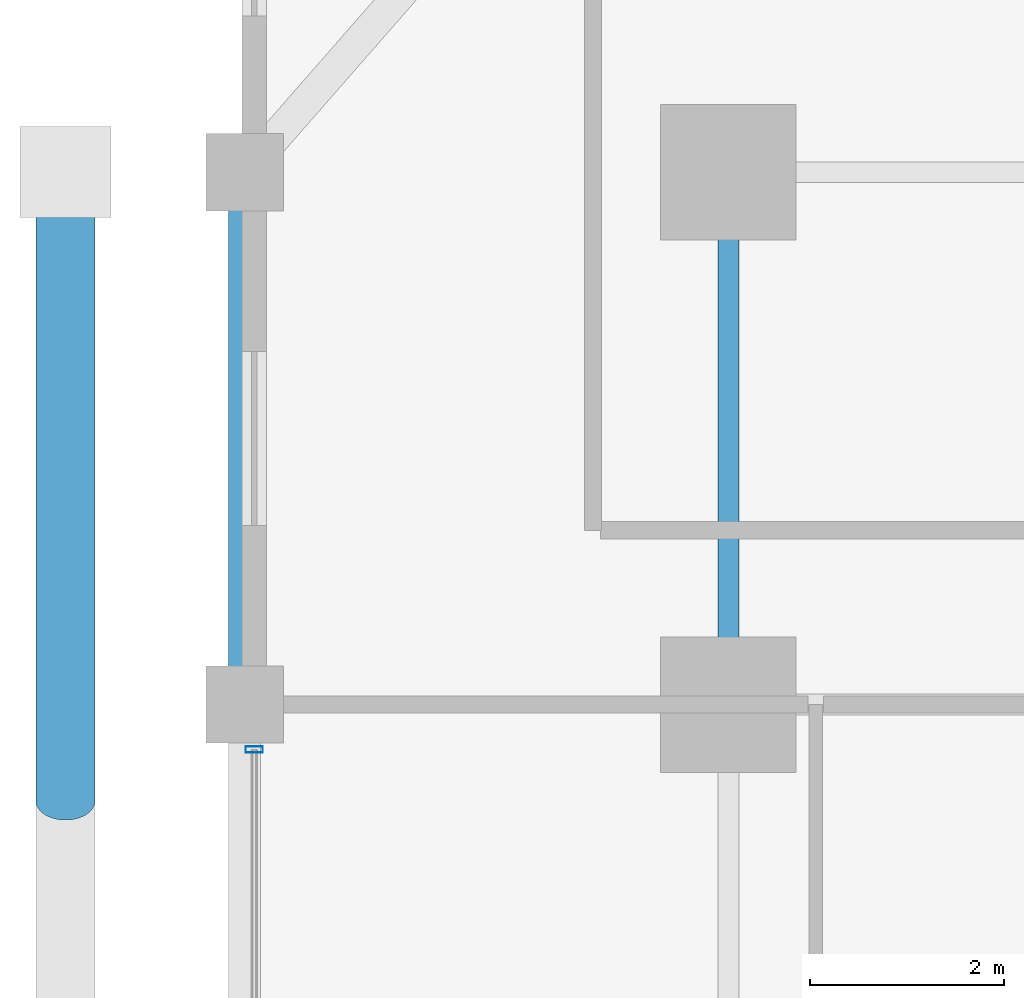
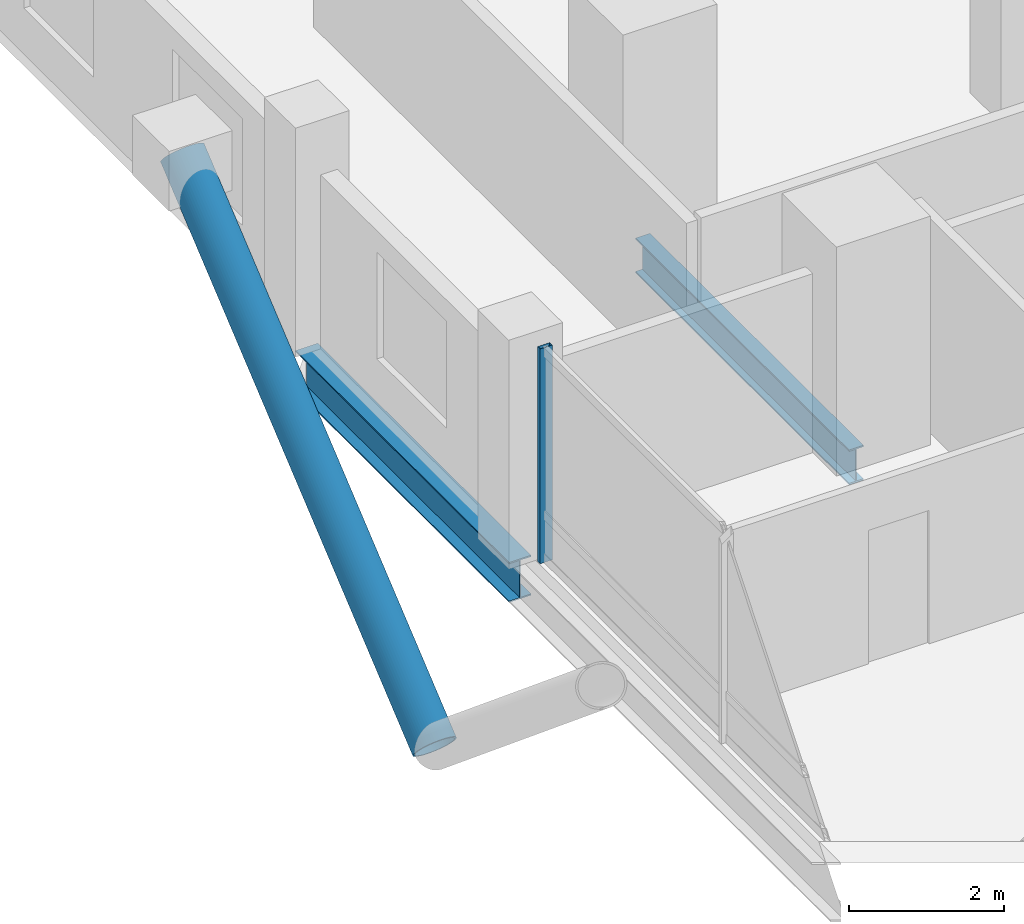
# One storey, part 11 of 23: 2 beams, 2 members, 1 element without a shape of its own.
"""IFC4 building model written with IfcOpenShell, lengths in metres."""

from ifc_helpers import new_model, si_unit, direction, frame, origin, origin_2d, place, context, subcontext, project, spatial, hollow_rectangle, hollow_circle, i_section, extrude, material, layer, layer_set, material_profile, profile_set, type_object, element, aggregate, save


model = new_model("IFC4")

# Units and contexts
model_context = context("Model", 3, precision=1e-05, world=origin(), true_north=direction((0.0, 1.0)))
body_context = subcontext(model_context, "Body", "Model", "MODEL_VIEW")
ifc_project = project(units=[si_unit("LENGTHUNIT", "METRE"), si_unit("AREAUNIT", "SQUARE_METRE"), si_unit("VOLUMEUNIT", "CUBIC_METRE"), si_unit("PLANEANGLEUNIT", "RADIAN"), si_unit("MASSUNIT", "GRAM", prefix="KILO")], contexts=[model_context])

# Site, building, storey
site_placement = place(None, origin())
site = spatial("IfcSite", under=ifc_project, at=site_placement, CompositionType="ELEMENT")
building_placement = place(site_placement, origin())
building = spatial("IfcBuilding", under=site, at=building_placement, Name="Barlavira Tower and Art Museum", CompositionType="ELEMENT")
storey_placement = place(building_placement, frame((0.0, 0.0, 57.60009765625)))
storey = spatial("IfcBuildingStorey", under=building, at=storey_placement, Name="L13", CompositionType="ELEMENT", Elevation=57.60009765625)

# Curtain wall, member
ifc_material_1 = material(Name="Low-iron coastal laminated glass", Category="glass")
ifc_layer = layer(ifc_material_1, 0.179931640625, Name="Low-iron coastal laminated glass")
ifc_layer_set = layer_set([ifc_layer], Name="Low-iron coastal laminated glass")
curtain_wall_type = type_object("IfcCurtainWallType", Name="Pale-Metal Unitised Curtain Wall Zone 1", PredefinedType="NOTDEFINED", material=ifc_layer_set)
curtain_wall_placement = place(storey_placement, origin())
curtain_wall = element("IfcCurtainWall", 1, at=curtain_wall_placement, inside=storey, type_object=curtain_wall_type, Name="L13 Curtain Wall CW1-L13-W-B3", PredefinedType="NOTDEFINED")
ifc_material_2 = material(Name="Pale anodised aluminium", Category="aluminium")
ifc_material_profile_1 = material_profile(ifc_material_2, hollow_rectangle(XDim=0.06494140625, YDim=0.179931640625, WallThickness=0.00390625, at=origin_2d()), Name="ALU-MULL 65x180x4")
ifc_profile_set_1 = profile_set([ifc_material_profile_1], Name="Pale anodised aluminium")
member_type_1 = type_object("IfcMemberType", Name="Curtain Wall Pale-Metal Mullion 65x180", PredefinedType="MULLION", material=ifc_profile_set_1)
member_1_placement = place(storey_placement, frame((-21.89990234375, 7.034912109375, 0.0), z_axis=(0.0, 0.0, 1.0), x_axis=(0.0, -1.0, 0.0)))
member_1 = element("IfcMember", 2, at=member_1_placement, type_object=member_type_1, Name="CW1-L13-W-B3 Mullion 0", PredefinedType="MULLION", context=body_context, shape_type="SweptSolid", body=[
    extrude(hollow_rectangle(XDim=0.06494140625, YDim=0.179931640625, WallThickness=0.00390625, at=origin_2d()), origin(), (0.0, 0.0, 1.0), 3.3798828125),
])
aggregate(curtain_wall, [member_1])

# Member
ifc_material_3 = material(Name="Steel S355", Category="steel")
ifc_material_profile_2 = material_profile(ifc_material_3, hollow_circle(Radius=0.304931640625, WallThickness=0.028076171875, at=origin_2d()), Name="CHS 610.0x28.0")
ifc_profile_set_2 = profile_set([ifc_material_profile_2], Name="Steel S355")
member_type_2 = type_object("IfcMemberType", Name="Pale-Metal Exoskeleton Diagrid Tube CHS 610x28 Steel S355", PredefinedType="BRACE", material=ifc_profile_set_2)
member_2_placement = place(storey_placement, frame((-23.85009765625, 6.5, -1.920166015625), z_axis=(0.0, 0.76918185268, 0.639029950399), x_axis=(-1.0, 0.0, 0.0)))
element("IfcMember", 3, at=member_2_placement, inside=storey, type_object=member_type_2, Name="L13 Exoskeleton Diagrid Tube W", PredefinedType="BRACE", context=body_context, shape_type="SweptSolid", body=[
    extrude(hollow_circle(Radius=0.304931640625, WallThickness=0.028076171875, at=origin_2d()), origin(), (0.0, 0.0, 1.0), 8.450439453125),
])

# Beams
ifc_material_profile_3 = material_profile(ifc_material_3, i_section(OverallWidth=0.327880859375, OverallDepth=0.62890625, WebThickness=0.013916015625, FlangeThickness=0.021484375, at=origin_2d()), Name="W610x174.0")
ifc_profile_set_3 = profile_set([ifc_material_profile_3], Name="Steel S355")
beam_type_1 = type_object("IfcBeamType", Name="Perimeter Spandrel Edge Beam W610x174 Steel S355", PredefinedType="SPANDREL", material=ifc_profile_set_3)
beam_1_placement = place(storey_placement, frame((-22.0, 7.5, -0.53466796875), z_axis=(0.0, 1.0, 0.0), x_axis=(-1.0, 0.0, 0.0)))
element("IfcBeam", 4, at=beam_1_placement, inside=storey, type_object=beam_type_1, Name="L13 Spandrel 13", PredefinedType="SPANDREL", context=body_context, shape_type="SweptSolid", body=[
    extrude(i_section(OverallWidth=0.327880859375, OverallDepth=0.62890625, WebThickness=0.013916015625, FlangeThickness=0.021484375, at=origin_2d()), origin(), (0.0, 0.0, 1.0), 5.5),
])
ifc_material_profile_4 = material_profile(ifc_material_3, i_section(OverallWidth=0.214111328125, OverallDepth=0.549072265625, WebThickness=0.0146484375, FlangeThickness=0.023681640625, at=origin_2d()), Name="W530x138.0")
ifc_profile_set_4 = profile_set([ifc_material_profile_4], Name="Steel S355")
beam_type_2 = type_object("IfcBeamType", Name="Zone 1 Primary Floor Girder W530x138 Steel S355", PredefinedType="BEAM", material=ifc_profile_set_4)
beam_2_placement = place(storey_placement, frame((-17.0, 7.5, -0.49462890625), z_axis=(0.0, 1.0, 0.0), x_axis=(-1.0, 0.0, 0.0)))
element("IfcBeam", 5, at=beam_2_placement, inside=storey, type_object=beam_type_2, Name="L13 Girder M-W3", PredefinedType="BEAM", context=body_context, shape_type="SweptSolid", body=[
    extrude(i_section(OverallWidth=0.214111328125, OverallDepth=0.549072265625, WebThickness=0.0146484375, FlangeThickness=0.023681640625, at=origin_2d()), origin(), (0.0, 0.0, 1.0), 5.5),
])

save(model, "model.ifc")
